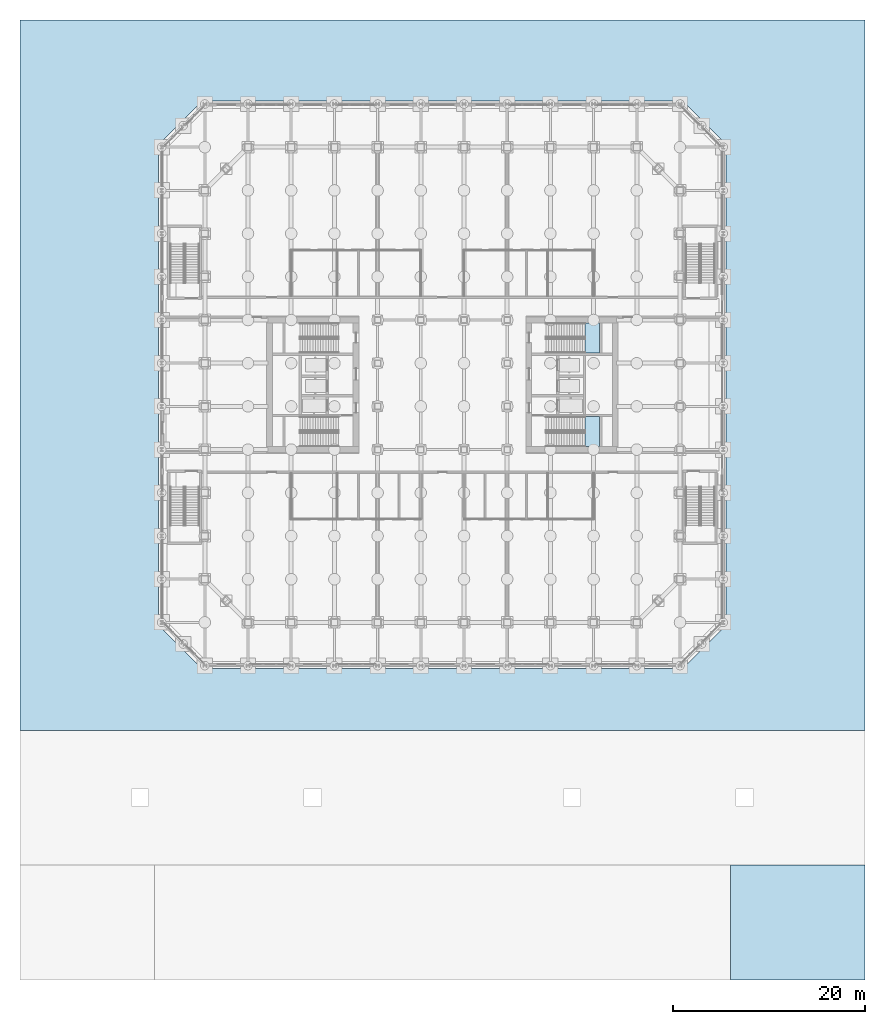
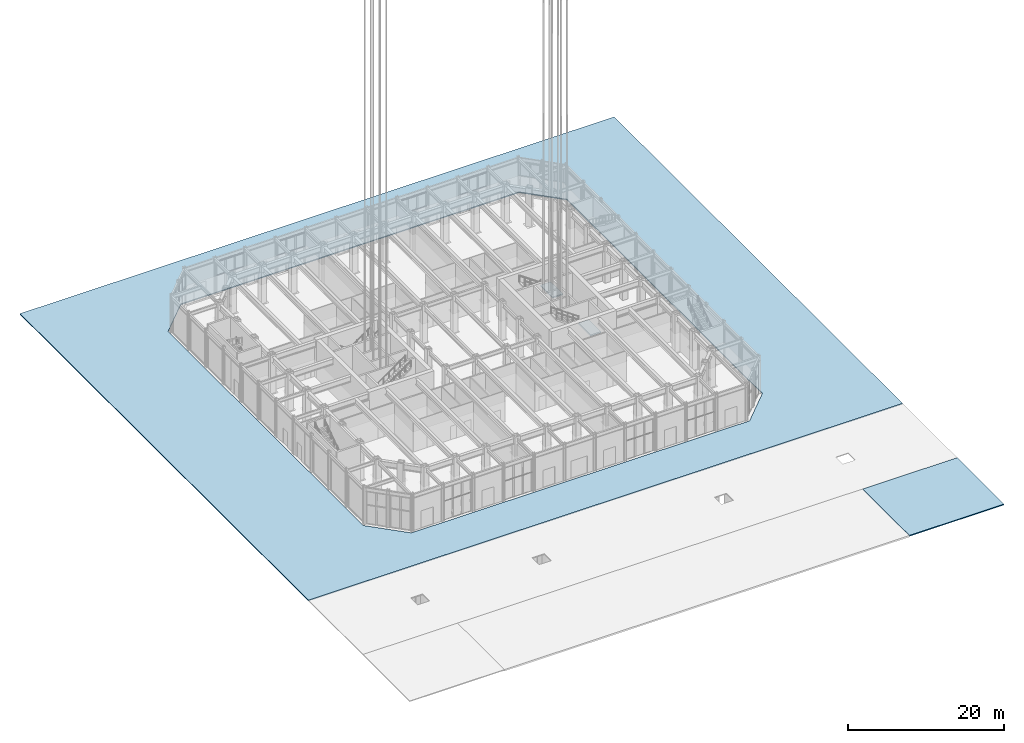
# One storey, part 16 of 39: 4 slabs, 2 elements without a shape of their own.
"""IFC4 building model written with IfcOpenShell, lengths in metres."""

from ifc_helpers import new_model, si_unit, direction, frame, origin, place, context, subcontext, project, spatial, polyline, outline, extrude, material, layer, layer_set, type_object, element, aggregate, save


model = new_model("IFC4")

# Units and contexts
model_context = context("Model", 3, precision=1e-05, world=origin(), true_north=direction((0.0, 1.0)))
body_context = subcontext(model_context, "Body", "Model", "MODEL_VIEW")
ifc_project = project(units=[si_unit("LENGTHUNIT", "METRE"), si_unit("AREAUNIT", "SQUARE_METRE"), si_unit("VOLUMEUNIT", "CUBIC_METRE"), si_unit("PLANEANGLEUNIT", "RADIAN"), si_unit("MASSUNIT", "GRAM", prefix="KILO")], contexts=[model_context])

# Site, building, storey
site_placement = place(None, origin())
site = spatial("IfcSite", under=ifc_project, at=site_placement, CompositionType="ELEMENT")
building_placement = place(site_placement, origin())
building = spatial("IfcBuilding", under=site, at=building_placement, Name="Msasa Ring Tower", CompositionType="ELEMENT")
storey_placement = place(building_placement, origin())
storey = spatial("IfcBuildingStorey", under=building, at=storey_placement, Name="L00", CompositionType="ELEMENT", Elevation=0.0)

# Stair, slab
ifc_material_1 = material(Name="Concrete C40/50", Category="concrete")
stair_type = type_object("IfcStairType", Name="STC CORE STAIR 32 RISERS 187.5", PredefinedType="HALF_TURN_STAIR", material=ifc_material_1)
stair_1_placement = place(storey_placement, origin())
stair_1 = element("IfcStair", 1, at=stair_1_placement, inside=storey, type_object=stair_type, Name="Core stair SEA L00", PredefinedType="HALF_TURN_STAIR")
ifc_material_2 = material(Name="Concrete C40/50", Category="concrete")
ifc_layer_1 = layer(ifc_material_2, 0.199951171875)
ifc_layer_set_1 = layer_set([ifc_layer_1], Name="LD1 CORE STAIR LANDING 200")
slab_type_1 = type_object("IfcSlabType", Name="LD1 CORE STAIR LANDING 200", PredefinedType="LANDING", material=ifc_layer_set_1)
slab_1_placement = place(storey_placement, frame((0.0, 0.0, 2.800048828125)))
slab_1 = element("IfcSlab", 2, at=slab_1_placement, type_object=slab_type_1, Name="SEA landing 1", PredefinedType="LANDING", context=body_context, shape_type="SweptSolid", body=[
    extrude(outline(polyline([(14.85009765625, -6.449951171875), (16.375, -6.449951171875), (16.375, -3.324951171875), (14.85009765625, -3.324951171875), (14.85009765625, -6.449951171875)])), origin(), (0.0, 0.0, 1.0), 0.199951171875),
])
aggregate(stair_1, [slab_1])

stair_2_placement = place(storey_placement, origin())
stair_2 = element("IfcStair", 3, at=stair_2_placement, inside=storey, type_object=stair_type, Name="Core stair SEB L00", PredefinedType="HALF_TURN_STAIR")
slab_2_placement = place(storey_placement, frame((0.0, 0.0, 2.800048828125)))
slab_2 = element("IfcSlab", 4, at=slab_2_placement, type_object=slab_type_1, Name="SEB landing 1", PredefinedType="LANDING", context=body_context, shape_type="SweptSolid", body=[
    extrude(outline(polyline([(14.85009765625, 3.324951171875), (16.375, 3.324951171875), (16.375, 6.449951171875), (14.85009765625, 6.449951171875), (14.85009765625, 3.324951171875)])), origin(), (0.0, 0.0, 1.0), 0.199951171875),
])
aggregate(stair_2, [slab_2])

# Slabs
ifc_material_3 = material(Name="Granite paving on a concrete base", Category="masonry")
ifc_layer_2 = layer(ifc_material_3, 0.14990234375)
ifc_layer_set_2 = layer_set([ifc_layer_2], Name="PV1 PLAZA PAVING 150")
slab_type_2 = type_object("IfcSlabType", Name="PV1 PLAZA PAVING 150", PredefinedType="USERDEFINED", material=ifc_layer_set_2)
slab_3_placement = place(storey_placement, frame((0.0, 0.0, -0.14990234375)))
element("IfcSlab", 5, at=slab_3_placement, inside=storey, type_object=slab_type_2, Name="Public plaza paving", ObjectType="PAVING", PredefinedType="USERDEFINED", context=body_context, shape_type="SweptSolid", body=[
    extrude(outline(polyline([(-44.0, -36.0), (44.0, -36.0), (44.0, 38.0), (-44.0, 38.0), (-44.0, -36.0)]), holes=[polyline([(-25.050048828125, -29.550048828125), (25.050048828125, -29.550048828125), (29.550048828125, -25.050048828125), (29.550048828125, 25.050048828125), (25.050048828125, 29.550048828125), (-25.050048828125, 29.550048828125), (-29.550048828125, 25.050048828125), (-29.550048828125, -25.050048828125), (-25.050048828125, -29.550048828125)])]), origin(), (0.0, 0.0, 1.0), 0.14990234375),
])
slab_4_placement = place(storey_placement, frame((0.0, 0.0, -0.14990234375)))
element("IfcSlab", 6, at=slab_4_placement, inside=storey, type_object=slab_type_2, Name="Street footway paving E", ObjectType="PAVING", PredefinedType="USERDEFINED", context=body_context, shape_type="SweptSolid", body=[
    extrude(outline(polyline([(30.0, -62.0), (44.0, -62.0), (44.0, -50.0), (30.0, -50.0), (30.0, -62.0)])), origin(), (0.0, 0.0, 1.0), 0.14990234375),
])

save(model, "model.ifc")
